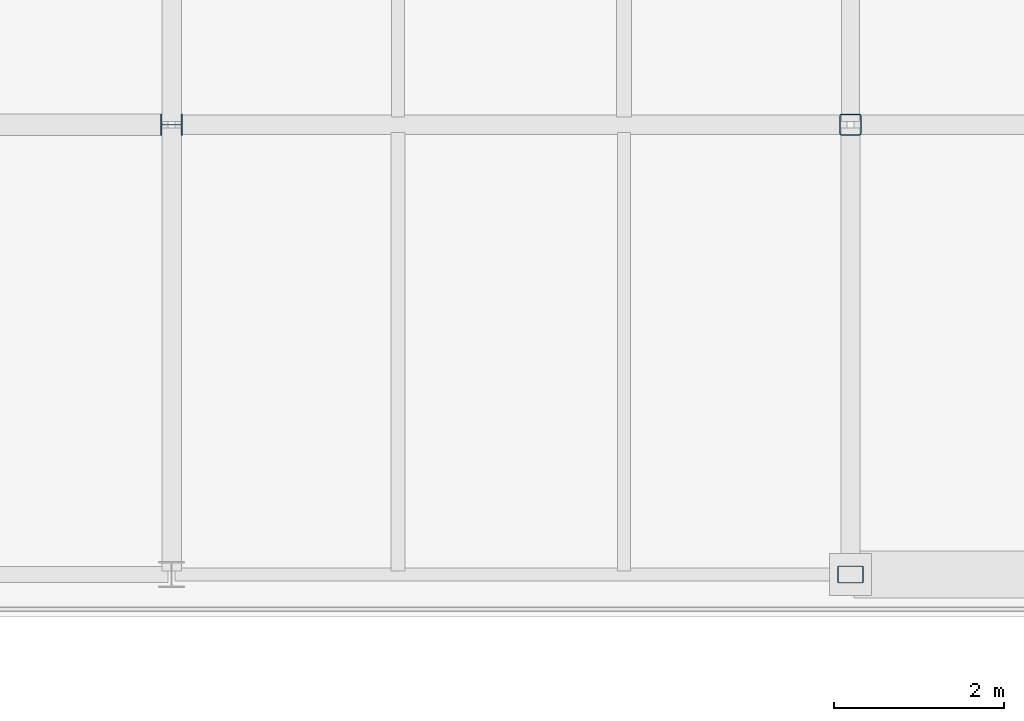
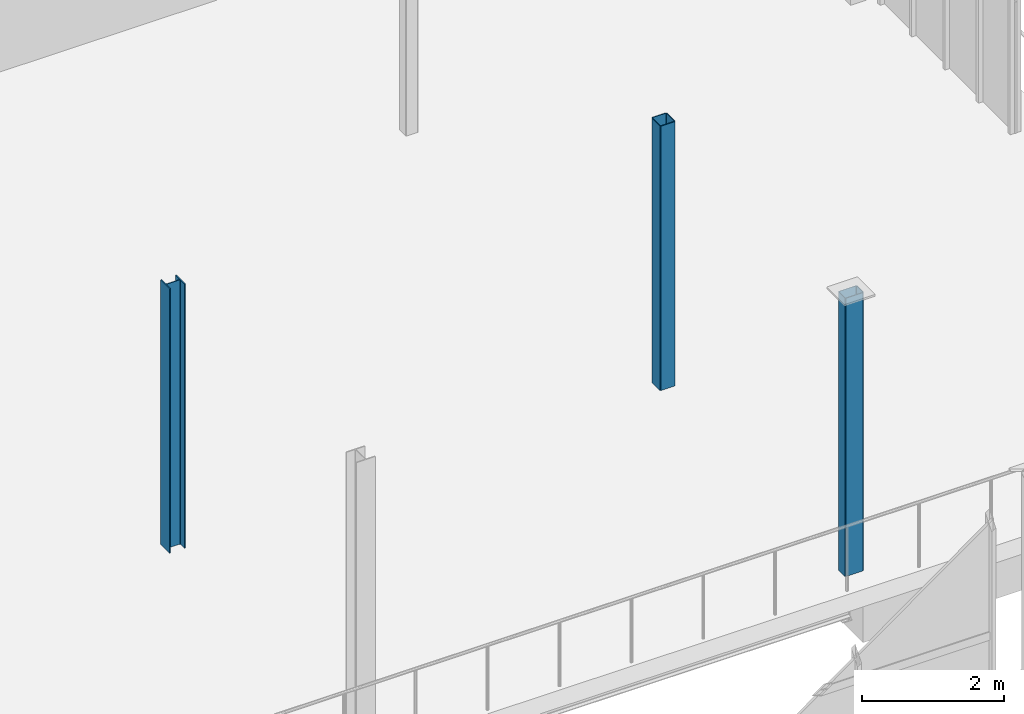
# One storey, part 15 of 93: 3 columns.
"""IFC4 building model written with IfcOpenShell, lengths in metres."""

from ifc_helpers import new_model, si_unit, direction, frame, origin, origin_2d, place, context, subcontext, project, spatial, hollow_rectangle, i_section, extrude, material, material_profile, profile_set, type_object, element, save


model = new_model("IFC4")

# Units and contexts
model_context = context("Model", 3, precision=1e-05, world=origin(), true_north=direction((0.0, 1.0)))
body_context = subcontext(model_context, "Body", "Model", "MODEL_VIEW")
ifc_project = project(units=[si_unit("LENGTHUNIT", "METRE"), si_unit("AREAUNIT", "SQUARE_METRE"), si_unit("VOLUMEUNIT", "CUBIC_METRE"), si_unit("PLANEANGLEUNIT", "RADIAN"), si_unit("MASSUNIT", "GRAM", prefix="KILO")], contexts=[model_context])

# Site, building, storey
site_placement = place(None, origin())
site = spatial("IfcSite", under=ifc_project, at=site_placement, CompositionType="ELEMENT")
building_placement = place(site_placement, origin())
building = spatial("IfcBuilding", under=site, at=building_placement, Name="Brisemont Oceanarium", CompositionType="ELEMENT")
storey_placement = place(building_placement, frame((0.0, 0.0, 5.39990234375)))
storey = spatial("IfcBuildingStorey", under=building, at=storey_placement, Name="L01", CompositionType="ELEMENT", Elevation=5.39990234375)

# Columns
ifc_material_1 = material(Name="Structural Steel ASTM A500 Gr.C", Category="steel")
ifc_material_profile_1 = material_profile(ifc_material_1, hollow_rectangle(XDim=0.25390625, YDim=0.25390625, WallThickness=0.01171875, InnerFilletRadius=0.01220703125, OuterFilletRadius=0.02392578125, at=origin_2d()), Name="HSS10X10X1/2")
ifc_profile_set_1 = profile_set([ifc_material_profile_1], Name="Structural Steel ASTM A500 Gr.C")
column_type_1 = type_object("IfcColumnType", Name="COL-HSS10X10", PredefinedType="COLUMN", material=ifc_profile_set_1)
column_1_placement = place(storey_placement, frame((136.0, 41.800048828125, 0.0), z_axis=(0.0, 0.0, 1.0), x_axis=(1.0, 0.0, 0.0)))
element("IfcColumn", 1, at=column_1_placement, inside=storey, type_object=column_type_1, Name="V5E L01 column (3,1)", PredefinedType="COLUMN", context=body_context, shape_type="SweptSolid", body=[
    extrude(hollow_rectangle(XDim=0.25390625, YDim=0.25390625, WallThickness=0.01171875, InnerFilletRadius=0.01220703125, OuterFilletRadius=0.02392578125, at=origin_2d()), origin(), (0.0, 0.0, 1.0), 4.56005859375),
])
ifc_material_2 = material(Name="Structural Steel ASTM A500 Gr.C", Category="steel")
ifc_material_profile_2 = material_profile(ifc_material_2, hollow_rectangle(XDim=0.202880859375, YDim=0.304931640625, WallThickness=0.0087890625, InnerFilletRadius=0.009033203125, OuterFilletRadius=0.01806640625, at=origin_2d()), Name="HSS12X8X3/8")
ifc_profile_set_2 = profile_set([ifc_material_profile_2], Name="Structural Steel ASTM A500 Gr.C")
column_type_2 = type_object("IfcColumnType", Name="COL-HSS12X8", PredefinedType="COLUMN", material=ifc_profile_set_2)
column_2_placement = place(storey_placement, frame((136.0, 36.5, 0.0), z_axis=(0.0, 0.0, 1.0), x_axis=(0.0, 1.0, 0.0)))
element("IfcColumn", 2, at=column_2_placement, inside=storey, type_object=column_type_2, Name="V5E L01 column (3,0)", PredefinedType="COLUMN", context=body_context, shape_type="SweptSolid", body=[
    extrude(hollow_rectangle(XDim=0.202880859375, YDim=0.304931640625, WallThickness=0.0087890625, InnerFilletRadius=0.009033203125, OuterFilletRadius=0.01806640625, at=origin_2d()), origin(), (0.0, 0.0, 1.0), 4.800048828125),
])
ifc_material_3 = material(Name="Structural Steel ASTM A992 Gr.50", Category="steel")
ifc_material_profile_3 = material_profile(ifc_material_3, i_section(OverallWidth=0.256103515625, OverallDepth=0.260009765625, WebThickness=0.0107421875, FlangeThickness=0.017333984375, FilletRadius=0.010986328125, at=origin_2d()), Name="W10X60")
ifc_profile_set_3 = profile_set([ifc_material_profile_3], Name="Structural Steel ASTM A992 Gr.50")
column_type_3 = type_object("IfcColumnType", Name="COL-W10X60", PredefinedType="COLUMN", material=ifc_profile_set_3)
column_3_placement = place(storey_placement, frame((128.0, 41.800048828125, 0.0), z_axis=(0.0, 0.0, 1.0), x_axis=(0.0, 1.0, 0.0)))
element("IfcColumn", 3, at=column_3_placement, inside=storey, type_object=column_type_3, Name="V5E L01 column (2,1)", PredefinedType="COLUMN", context=body_context, shape_type="SweptSolid", body=[
    extrude(i_section(OverallWidth=0.256103515625, OverallDepth=0.260009765625, WebThickness=0.0107421875, FlangeThickness=0.017333984375, FilletRadius=0.010986328125, at=origin_2d()), origin(), (0.0, 0.0, 1.0), 4.56005859375),
])

save(model, "model.ifc")
